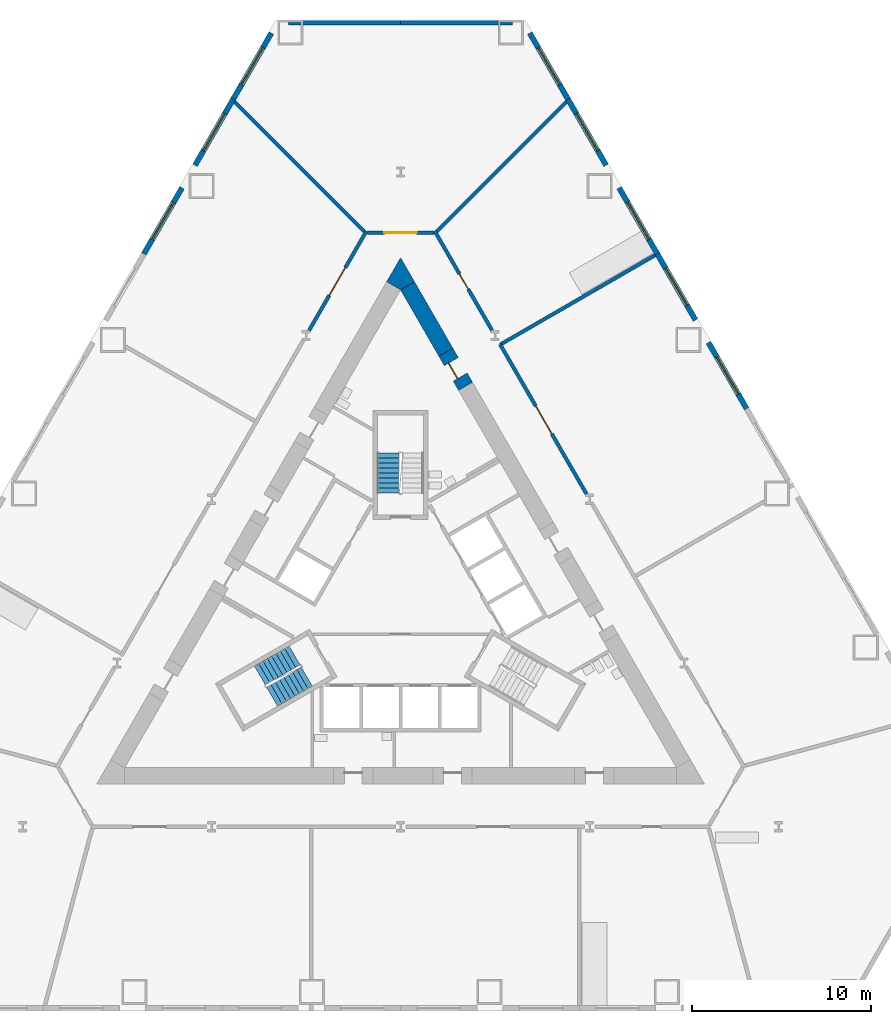
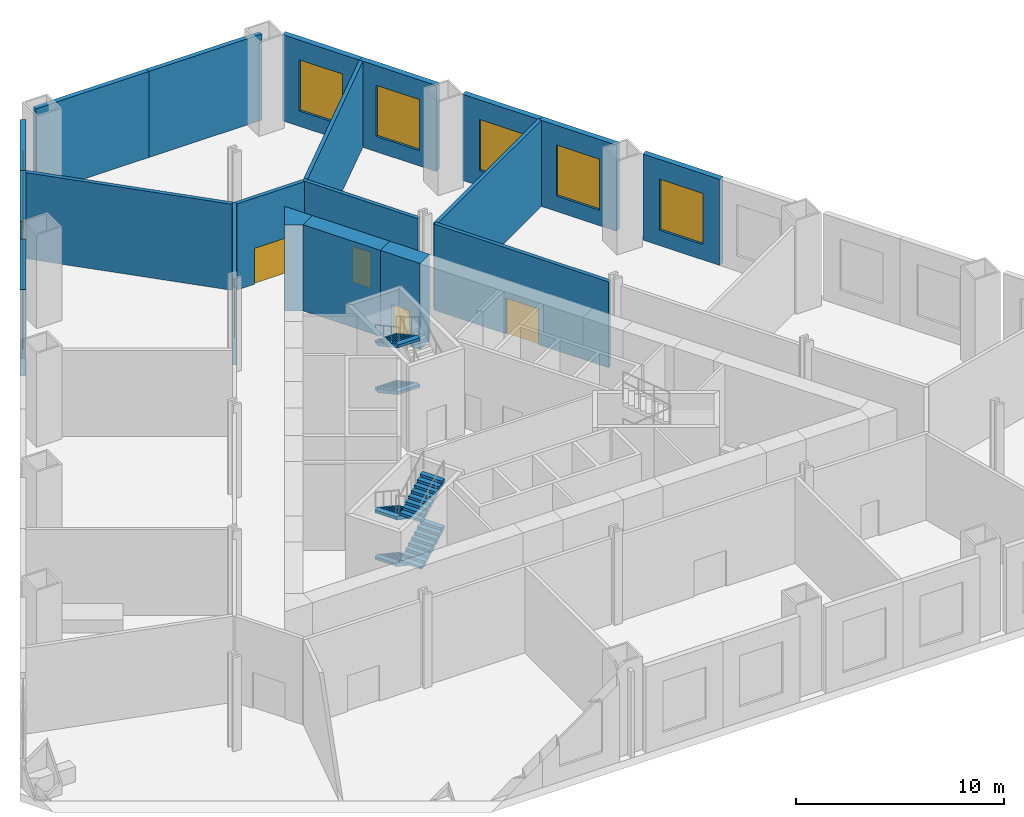
# One storey, part 5 of 9: 20 walls, 8 windows, 6 stair flights, 5 doors, 13 openings, 2 elements without a shape of their own.
"""IFC4 building model written with IfcOpenShell, lengths in metres."""

from ifc_helpers import new_model, si_unit, direction, frame, frame_2d, origin, place, context, subcontext, project, spatial, polyline, rectangle, outline, extrude, material, layer, layer_set, type_object, element, fill, aggregate, save


model = new_model("IFC4")

# Units and contexts
model_context = context("Model", 3, precision=1e-05, world=origin(), true_north=direction((0.0, 1.0)))
body_context = subcontext(model_context, "Body", "Model", "MODEL_VIEW")
ifc_project = project(units=[si_unit("LENGTHUNIT", "METRE"), si_unit("AREAUNIT", "SQUARE_METRE"), si_unit("VOLUMEUNIT", "CUBIC_METRE"), si_unit("PLANEANGLEUNIT", "RADIAN"), si_unit("MASSUNIT", "GRAM", prefix="KILO")], contexts=[model_context])

# Site, building, storey
site_placement = place(None, origin())
site = spatial("IfcSite", under=ifc_project, at=site_placement, CompositionType="ELEMENT")
building_placement = place(site_placement, origin())
building = spatial("IfcBuilding", under=site, at=building_placement, Name="Cormorant Prow Tower", CompositionType="ELEMENT")
storey_placement = place(building_placement, frame((0.0, 0.0, 15.5)))
storey = spatial("IfcBuildingStorey", under=building, at=storey_placement, Name="L02", CompositionType="ELEMENT", Elevation=15.5)

# Walls
ifc_material_1 = material(Name="Concrete 8000 psi", Category="concrete")
ifc_layer_1 = layer(ifc_material_1, 0.89990234375)
ifc_layer_set_1 = layer_set([ifc_layer_1], Name="Concrete 8000 psi")
wall_type_1 = type_object("IfcWallType", Name="Core shear wall 900", PredefinedType="SHEAR", material=ifc_layer_set_1)
wall_1_placement = place(storey_placement, frame((2.53759765625, 14.334716796875, 0.0), z_axis=(0.0, 0.0, 1.0), x_axis=(-0.500014347272, 0.866017120224, 0.0)))
element("IfcWall", 1, at=wall_1_placement, inside=storey, type_object=wall_type_1, Name="Core wall", PredefinedType="SHEAR", context=body_context, shape_type="SweptSolid", body=[
    extrude(rectangle(XDim=4.295654296875, YDim=0.89990234375, at=frame_2d((2.14794921875, 0.0))), origin(), (0.0, 0.0, 1.0), 5.050048828125),
])
wall_2_placement = place(storey_placement, origin())
element("IfcWall", 2, at=wall_2_placement, inside=storey, type_object=wall_type_1, Name="Core wall corner", PredefinedType="SHEAR", context=body_context, shape_type="SweptSolid", body=[
    extrude(outline(polyline([(-0.779296875, 18.27978515625), (0.0, 19.6298828125), (0.779296875, 18.27978515625), (0.0, 17.829833984375), (-0.779296875, 18.27978515625)])), origin(), (0.0, 0.0, 1.0), 5.050048828125),
])

# Wall, opening, door
wall_3_placement = place(storey_placement, frame((3.637451171875, 12.4296875, 0.0), z_axis=(0.0, 0.0, 1.0), x_axis=(-0.499994660107, 0.866028486751, 0.0)))
wall_3 = element("IfcWall", 3, at=wall_3_placement, inside=storey, type_object=wall_type_1, Name="Core wall door panel", PredefinedType="SHEAR", context=body_context, shape_type="SweptSolid", body=[
    extrude(rectangle(XDim=2.19970703125, YDim=0.89990234375, at=frame_2d((1.099853515625, 0.0))), origin(), (0.0, 0.0, 1.0), 5.050048828125),
])
opening_1_placement = place(wall_3_placement, frame((0.60009765625, 0.0, 0.0)))
opening_1 = element("IfcOpeningElement", 4, at=opening_1_placement, cuts=wall_3, Name="Opening L02-C22", PredefinedType="OPENING", context=body_context, shape_type="SweptSolid", body=[
    extrude(rectangle(XDim=1.0, YDim=2.10009765625, at=frame_2d((0.5, 1.050048828125))), frame((0.0, 0.4599609375, 0.0), z_axis=(0.0, -1.0, 0.0), x_axis=(1.0, 0.0, 0.0)), (0.0, 0.0, 1.0), 0.919921875),
])
ifc_material_2 = material(Name="Painted steel", Category="steel")
door_type_1 = type_object("IfcDoorType", Name="Service door 1000x2100", OperationType="NOTDEFINED", PredefinedType="DOOR", material=ifc_material_2)
door_1_placement = place(opening_1_placement, origin())
door_1 = element("IfcDoor", 5, at=door_1_placement, inside=storey, type_object=door_type_1, Name="Core door, Toilets (women) L02", OperationType="SINGLE_SWING_LEFT", OverallHeight=2.10009765625, OverallWidth=1.0, PredefinedType="DOOR", context=body_context, shape_type="SweptSolid", body=[
    extrude(rectangle(XDim=1.0, YDim=2.10009765625, at=frame_2d((0.5, 1.050048828125))), frame((0.0, 0.205078125, 0.0), z_axis=(0.0, -1.0, 0.0), x_axis=(1.0, 0.0, 0.0)), (0.0, 0.0, 1.0), 0.050048828125),
])
fill(opening_1, door_1)

ifc_material_3 = material(Name="Gypsum board corridor wall")
ifc_layer_2 = layer(ifc_material_3, 0.199951171875)
ifc_layer_set_2 = layer_set([ifc_layer_2], Name="Gypsum board corridor wall")
wall_type_2 = type_object("IfcWallType", Name="Corridor wall 200", PredefinedType="PARTITIONING", material=ifc_layer_set_2)
wall_4_placement = place(storey_placement, frame((5.573486328125, 14.7763671875, 0.0), z_axis=(0.0, 0.0, 1.0), x_axis=(0.499986904098, -0.866032964575, 0.0)))
wall_4 = element("IfcWall", 6, at=wall_4_placement, inside=storey, type_object=wall_type_2, Name="Corridor wall", PredefinedType="PARTITIONING", context=body_context, shape_type="SweptSolid", body=[
    extrude(rectangle(XDim=9.669677734375, YDim=0.199951171875, at=frame_2d((4.8349609375, 0.0))), origin(), (0.0, 0.0, 1.0), 5.050048828125),
])
opening_2_placement = place(wall_4_placement, frame((3.9853515625, 0.0, 0.0)))
opening_2 = element("IfcOpeningElement", 7, at=opening_2_placement, cuts=wall_4, Name="Opening L02-F12", PredefinedType="OPENING", context=body_context, shape_type="SweptSolid", body=[
    extrude(rectangle(XDim=1.800048828125, YDim=2.10009765625, at=frame_2d((0.89990234375, 1.050048828125))), frame((0.0, 0.10986328125, 0.0), z_axis=(0.0, -1.0, 0.0), x_axis=(1.0, 0.0, 0.0)), (0.0, 0.0, 1.0), 0.219970703125),
])
ifc_material_4 = material(Name="Timber door leaf", Category="wood")
door_type_2 = type_object("IfcDoorType", Name="Double door 1800x2100", OperationType="DOUBLE_DOOR_SINGLE_SWING", PredefinedType="DOOR", material=ifc_material_4)
door_2_placement = place(opening_2_placement, origin())
door_2 = element("IfcDoor", 8, at=door_2_placement, inside=storey, type_object=door_type_2, Name="Serviced office door", OperationType="DOUBLE_DOOR_SINGLE_SWING", OverallHeight=2.10009765625, OverallWidth=1.800048828125, PredefinedType="DOOR", context=body_context, shape_type="SweptSolid", body=[
    extrude(rectangle(XDim=1.800048828125, YDim=2.10009765625, at=frame_2d((0.89990234375, 1.050048828125))), frame((0.0, 0.02490234375, 0.0), z_axis=(0.0, -1.0, 0.0), x_axis=(1.0, 0.0, 0.0)), (0.0, 0.0, 1.0), 0.050048828125),
])
fill(opening_2, door_2)

wall_5_placement = place(storey_placement, frame((-5.119140625, 15.5634765625, 0.0), z_axis=(0.0, 0.0, 1.0), x_axis=(0.500004801114, 0.866022631842, 0.0)))
wall_5 = element("IfcWall", 9, at=wall_5_placement, inside=storey, type_object=wall_type_2, Name="Corridor wall", PredefinedType="PARTITIONING", context=body_context, shape_type="SweptSolid", body=[
    extrude(rectangle(XDim=6.412109375, YDim=0.199951171875, at=frame_2d((3.2060546875, 0.0))), origin(), (0.0, 0.0, 1.0), 5.050048828125),
])
opening_3_placement = place(wall_5_placement, frame((2.255859375, 0.0, 0.0)))
opening_3 = element("IfcOpeningElement", 10, at=opening_3_placement, cuts=wall_5, Name="Opening L02-F07", PredefinedType="OPENING", context=body_context, shape_type="SweptSolid", body=[
    extrude(rectangle(XDim=1.800048828125, YDim=2.10009765625, at=frame_2d((0.89990234375, 1.050048828125))), frame((0.0, 0.10986328125, 0.0), z_axis=(0.0, -1.0, 0.0), x_axis=(1.0, 0.0, 0.0)), (0.0, 0.0, 1.0), 0.219970703125),
])
door_3_placement = place(opening_3_placement, origin())
door_3 = element("IfcDoor", 11, at=door_3_placement, inside=storey, type_object=door_type_2, Name="Serviced office door", OperationType="DOUBLE_DOOR_SINGLE_SWING", OverallHeight=2.10009765625, OverallWidth=1.800048828125, PredefinedType="DOOR", context=body_context, shape_type="SweptSolid", body=[
    extrude(rectangle(XDim=1.800048828125, YDim=2.10009765625, at=frame_2d((0.89990234375, 1.050048828125))), frame((0.0, 0.02490234375, 0.0), z_axis=(0.0, -1.0, 0.0), x_axis=(1.0, 0.0, 0.0)), (0.0, 0.0, 1.0), 0.050048828125),
])
fill(opening_3, door_3)

wall_6_placement = place(storey_placement, frame((1.9130859375, 21.116455078125, 0.0), z_axis=(0.0, 0.0, 1.0), x_axis=(0.500004801114, -0.866022631842, 0.0)))
wall_6 = element("IfcWall", 12, at=wall_6_placement, inside=storey, type_object=wall_type_2, Name="Corridor wall", PredefinedType="PARTITIONING", context=body_context, shape_type="SweptSolid", body=[
    extrude(rectangle(XDim=6.412109375, YDim=0.199951171875, at=frame_2d((3.2060546875, 0.0))), origin(), (0.0, 0.0, 1.0), 5.050048828125),
])
opening_4_placement = place(wall_6_placement, frame((2.756103515625, 0.0, 0.0)))
opening_4 = element("IfcOpeningElement", 13, at=opening_4_placement, cuts=wall_6, Name="Opening L02-F06", PredefinedType="OPENING", context=body_context, shape_type="SweptSolid", body=[
    extrude(rectangle(XDim=1.0, YDim=2.10009765625, at=frame_2d((0.5, 1.050048828125))), frame((0.0, 0.10986328125, 0.0), z_axis=(0.0, -1.0, 0.0), x_axis=(1.0, 0.0, 0.0)), (0.0, 0.0, 1.0), 0.219970703125),
])
ifc_material_5 = material(Name="Timber door leaf", Category="wood")
door_type_3 = type_object("IfcDoorType", Name="Flat or room entrance door 1000x2100", OperationType="NOTDEFINED", PredefinedType="DOOR", material=ifc_material_5)
door_4_placement = place(opening_4_placement, origin())
door_4 = element("IfcDoor", 14, at=door_4_placement, inside=storey, type_object=door_type_3, Name="Conference room door", OperationType="SINGLE_SWING_LEFT", OverallHeight=2.10009765625, OverallWidth=1.0, PredefinedType="DOOR", context=body_context, shape_type="SweptSolid", body=[
    extrude(rectangle(XDim=1.0, YDim=2.10009765625, at=frame_2d((0.5, 1.050048828125))), frame((0.0, 0.02490234375, 0.0), z_axis=(0.0, -1.0, 0.0), x_axis=(1.0, 0.0, 0.0)), (0.0, 0.0, 1.0), 0.050048828125),
])
fill(opening_4, door_4)

wall_7_placement = place(storey_placement, frame((-1.863037109375, 21.02978515625, 0.0), z_axis=(0.0, 0.0, 1.0), x_axis=(1.0, 0.0, 0.0)))
wall_7 = element("IfcWall", 15, at=wall_7_placement, inside=storey, type_object=wall_type_2, Name="Corridor wall", PredefinedType="PARTITIONING", context=body_context, shape_type="SweptSolid", body=[
    extrude(rectangle(XDim=3.72607421875, YDim=0.199951171875, at=frame_2d((1.863037109375, 0.0))), origin(), (0.0, 0.0, 1.0), 5.050048828125),
])
opening_5_placement = place(wall_7_placement, frame((0.962890625, 0.0, 0.0)))
opening_5 = element("IfcOpeningElement", 16, at=opening_5_placement, cuts=wall_7, Name="Opening L02-F08", PredefinedType="OPENING", context=body_context, shape_type="SweptSolid", body=[
    extrude(rectangle(XDim=1.800048828125, YDim=2.10009765625, at=frame_2d((0.89990234375, 1.050048828125))), frame((0.0, 0.10986328125, 0.0), z_axis=(0.0, -1.0, 0.0), x_axis=(1.0, 0.0, 0.0)), (0.0, 0.0, 1.0), 0.219970703125),
])
door_5_placement = place(opening_5_placement, origin())
door_5 = element("IfcDoor", 17, at=door_5_placement, inside=storey, type_object=door_type_2, Name="Business reception door", OperationType="DOUBLE_DOOR_SINGLE_SWING", OverallHeight=2.10009765625, OverallWidth=1.800048828125, PredefinedType="DOOR", context=body_context, shape_type="SweptSolid", body=[
    extrude(rectangle(XDim=1.800048828125, YDim=2.10009765625, at=frame_2d((0.89990234375, 1.050048828125))), frame((0.0, 0.02490234375, 0.0), z_axis=(0.0, -1.0, 0.0), x_axis=(1.0, 0.0, 0.0)), (0.0, 0.0, 1.0), 0.050048828125),
])
fill(opening_5, door_5)

# Walls
ifc_material_6 = material(Name="Gypsum board demising wall")
ifc_layer_3 = layer(ifc_material_6, 0.199951171875)
ifc_layer_set_3 = layer_set([ifc_layer_3], Name="Gypsum board demising wall")
wall_type_3 = type_object("IfcWallType", Name="Demising wall 200", PredefinedType="PARTITIONING", material=ifc_layer_set_3)
for number, where, z_axis, x_axis, name in (
    (18, (2.03369140625, 21.1005859375, 0.0), (0.0, 0.0, 1.0), (0.707402604593, 0.706810833968, 0.0), "Demising wall"),
    (19, (-9.329833984375, 28.390625, 0.0), (0.0, 0.0, 1.0), (0.707402604593, -0.706810833968, 0.0), "Demising wall"),
):
    element("IfcWall", number, at=place(storey_placement, frame(where, z_axis=z_axis, x_axis=x_axis)), inside=storey, type_object=wall_type_3, Name=name, PredefinedType="PARTITIONING", context=body_context, shape_type="SweptSolid", body=[
        extrude(rectangle(XDim=10.31396484375, YDim=0.199951171875, at=frame_2d((5.156982421875, 0.0))), origin(), (0.0, 0.0, 1.0), 5.050048828125),
    ])
wall_8_placement = place(storey_placement, frame((5.57861328125, 14.767578125, 0.0), z_axis=(0.0, 0.0, 1.0), x_axis=(0.866017018378, 0.500014523669, 0.0)))
element("IfcWall", 20, at=wall_8_placement, inside=storey, type_object=wall_type_3, Name="Demising wall", PredefinedType="PARTITIONING", context=body_context, shape_type="SweptSolid", body=[
    extrude(rectangle(XDim=10.081787109375, YDim=0.199951171875, at=frame_2d((5.041015625, 0.0))), origin(), (0.0, 0.0, 1.0), 5.050048828125),
])
ifc_material_7 = material(Name="Terracotta", Category="masonry")
ifc_layer_4 = layer(ifc_material_7, 0.25)
ifc_layer_set_4 = layer_set([ifc_layer_4], Name="Terracotta")
wall_type_4 = type_object("IfcWallType", Name="Terracotta bay wall 250", PredefinedType="SOLIDWALL", material=ifc_layer_set_4)
for number, where, z_axis, x_axis, name in (
    (21, (6.27001953125, 32.783935546875, 0.0), (0.0, 0.0, 1.0), (-1.0, 0.0, 0.0), "Terracotta bay wall N00"),
    (22, (0.0, 32.783935546875, 0.0), (0.0, 0.0, 1.0), (-1.0, 0.0, 0.0), "Terracotta bay wall N01"),
):
    element("IfcWall", number, at=place(storey_placement, frame(where, z_axis=z_axis, x_axis=x_axis)), inside=storey, type_object=wall_type_4, Name=name, PredefinedType="SOLIDWALL", context=body_context, shape_type="SweptSolid", body=[
        extrude(rectangle(XDim=6.27001953125, YDim=0.25, at=frame_2d((3.135009765625, 0.0))), origin(), (0.0, 0.0, 1.0), 5.050048828125),
    ])

# Wall, opening, window
ifc_material_8 = material(Name="Terracotta", Category="masonry")
ifc_layer_5 = layer(ifc_material_8, 0.300048828125)
ifc_layer_set_5 = layer_set([ifc_layer_5], Name="Terracotta")
wall_type_5 = type_object("IfcWallType", Name="Terracotta podium cladding wall 300", PredefinedType="SOLIDWALL", material=ifc_layer_set_5)
wall_9_placement = place(storey_placement, frame((19.3701171875, 11.183349609375, 0.0), z_axis=(0.0, 0.0, 1.0), x_axis=(-0.499994660107, 0.866028486751, 0.0)))
wall_9 = element("IfcWall", 23, at=wall_9_placement, inside=storey, type_object=wall_type_5, Name="Terracotta podium wall ENE05", PredefinedType="SOLIDWALL", context=body_context, shape_type="SweptSolid", body=[
    extrude(rectangle(XDim=4.27001953125, YDim=0.300048828125, at=frame_2d((2.135009765625, 0.0))), origin(), (0.0, 0.0, 1.0), 5.050048828125),
])
opening_6_placement = place(wall_9_placement, frame((0.93505859375, 0.0, 0.89990234375)))
opening_6 = element("IfcOpeningElement", 24, at=opening_6_placement, cuts=wall_9, Name="Opening WN21", PredefinedType="OPENING", context=body_context, shape_type="SweptSolid", body=[
    extrude(rectangle(XDim=2.39990234375, YDim=3.0, at=frame_2d((1.199951171875, 1.5))), frame((0.0, 0.159912109375, 0.0), z_axis=(0.0, -1.0, 0.0), x_axis=(1.0, 0.0, 0.0)), (0.0, 0.0, 1.0), 0.320068359375),
])
ifc_material_9 = material(Name="Aluminium 6063-T6", Category="aluminium")
window_type = type_object("IfcWindowType", Name="Podium window 2400x3000", PartitioningType="SINGLE_PANEL", PredefinedType="WINDOW", material=ifc_material_9)
window_1_placement = place(opening_6_placement, origin())
window_1 = element("IfcWindow", 25, at=window_1_placement, inside=storey, type_object=window_type, Name="Podium window ENE05", OverallHeight=3.0, OverallWidth=2.39990234375, PartitioningType="SINGLE_PANEL", PredefinedType="WINDOW", context=body_context, shape_type="SweptSolid", body=[
    extrude(rectangle(XDim=2.39990234375, YDim=3.0, at=frame_2d((1.199951171875, 1.5))), frame((0.0, 0.030029296875, 0.0), z_axis=(0.0, -1.0, 0.0), x_axis=(1.0, 0.0, 0.0)), (0.0, 0.0, 1.0), 0.06005859375),
])
fill(opening_6, window_1)

wall_10_placement = place(storey_placement, frame((16.505126953125, 16.145751953125, 0.0), z_axis=(0.0, 0.0, 1.0), x_axis=(-0.500019418418, 0.866014192265, 0.0)))
wall_10 = element("IfcWall", 26, at=wall_10_placement, inside=storey, type_object=wall_type_5, Name="Terracotta podium wall ENE06", PredefinedType="SOLIDWALL", context=body_context, shape_type="SweptSolid", body=[
    extrude(rectangle(XDim=4.269775390625, YDim=0.300048828125, at=frame_2d((2.134765625, 0.0))), origin(), (0.0, 0.0, 1.0), 5.050048828125),
])
opening_7_placement = place(wall_10_placement, frame((0.93505859375, 0.0, 0.89990234375)))
opening_7 = element("IfcOpeningElement", 27, at=opening_7_placement, cuts=wall_10, Name="Opening WN21", PredefinedType="OPENING", context=body_context, shape_type="SweptSolid", body=[
    extrude(rectangle(XDim=2.39990234375, YDim=3.0, at=frame_2d((1.199951171875, 1.5))), frame((0.0, 0.159912109375, 0.0), z_axis=(0.0, -1.0, 0.0), x_axis=(1.0, 0.0, 0.0)), (0.0, 0.0, 1.0), 0.320068359375),
])
window_2_placement = place(opening_7_placement, origin())
window_2 = element("IfcWindow", 28, at=window_2_placement, inside=storey, type_object=window_type, Name="Podium window ENE06", OverallHeight=3.0, OverallWidth=2.39990234375, PartitioningType="SINGLE_PANEL", PredefinedType="WINDOW", context=body_context, shape_type="SweptSolid", body=[
    extrude(rectangle(XDim=2.39990234375, YDim=3.0, at=frame_2d((1.199951171875, 1.5))), frame((0.0, 0.030029296875, 0.0), z_axis=(0.0, -1.0, 0.0), x_axis=(1.0, 0.0, 0.0)), (0.0, 0.0, 1.0), 0.06005859375),
])
fill(opening_7, window_2)

wall_11_placement = place(storey_placement, frame((14.3701171875, 19.843505859375, 0.0), z_axis=(0.0, 0.0, 1.0), x_axis=(-0.499994660107, 0.866028486751, 0.0)))
wall_11 = element("IfcWall", 29, at=wall_11_placement, inside=storey, type_object=wall_type_5, Name="Terracotta podium wall ENE07", PredefinedType="SOLIDWALL", context=body_context, shape_type="SweptSolid", body=[
    extrude(rectangle(XDim=4.27001953125, YDim=0.300048828125, at=frame_2d((2.135009765625, 0.0))), origin(), (0.0, 0.0, 1.0), 5.050048828125),
])
opening_8_placement = place(wall_11_placement, frame((0.93505859375, 0.0, 0.89990234375)))
opening_8 = element("IfcOpeningElement", 30, at=opening_8_placement, cuts=wall_11, Name="Opening WN21", PredefinedType="OPENING", context=body_context, shape_type="SweptSolid", body=[
    extrude(rectangle(XDim=2.39990234375, YDim=3.0, at=frame_2d((1.199951171875, 1.5))), frame((0.0, 0.159912109375, 0.0), z_axis=(0.0, -1.0, 0.0), x_axis=(1.0, 0.0, 0.0)), (0.0, 0.0, 1.0), 0.320068359375),
])
window_3_placement = place(opening_8_placement, origin())
window_3 = element("IfcWindow", 31, at=window_3_placement, inside=storey, type_object=window_type, Name="Podium window ENE07", OverallHeight=3.0, OverallWidth=2.39990234375, PartitioningType="SINGLE_PANEL", PredefinedType="WINDOW", context=body_context, shape_type="SweptSolid", body=[
    extrude(rectangle(XDim=2.39990234375, YDim=3.0, at=frame_2d((1.199951171875, 1.5))), frame((0.0, 0.030029296875, 0.0), z_axis=(0.0, -1.0, 0.0), x_axis=(1.0, 0.0, 0.0)), (0.0, 0.0, 1.0), 0.06005859375),
])
fill(opening_8, window_3)

wall_12_placement = place(storey_placement, frame((11.505126953125, 24.805908203125, 0.0), z_axis=(0.0, 0.0, 1.0), x_axis=(-0.499994660107, 0.866028486751, 0.0)))
wall_12 = element("IfcWall", 32, at=wall_12_placement, inside=storey, type_object=wall_type_5, Name="Terracotta podium wall ENE08", PredefinedType="SOLIDWALL", context=body_context, shape_type="SweptSolid", body=[
    extrude(rectangle(XDim=4.27001953125, YDim=0.300048828125, at=frame_2d((2.135009765625, 0.0))), origin(), (0.0, 0.0, 1.0), 5.050048828125),
])
opening_9_placement = place(wall_12_placement, frame((0.93505859375, 0.0, 0.89990234375)))
opening_9 = element("IfcOpeningElement", 33, at=opening_9_placement, cuts=wall_12, Name="Opening WN21", PredefinedType="OPENING", context=body_context, shape_type="SweptSolid", body=[
    extrude(rectangle(XDim=2.39990234375, YDim=3.0, at=frame_2d((1.199951171875, 1.5))), frame((0.0, 0.159912109375, 0.0), z_axis=(0.0, -1.0, 0.0), x_axis=(1.0, 0.0, 0.0)), (0.0, 0.0, 1.0), 0.320068359375),
])
window_4_placement = place(opening_9_placement, origin())
window_4 = element("IfcWindow", 34, at=window_4_placement, inside=storey, type_object=window_type, Name="Podium window ENE08", OverallHeight=3.0, OverallWidth=2.39990234375, PartitioningType="SINGLE_PANEL", PredefinedType="WINDOW", context=body_context, shape_type="SweptSolid", body=[
    extrude(rectangle(XDim=2.39990234375, YDim=3.0, at=frame_2d((1.199951171875, 1.5))), frame((0.0, 0.030029296875, 0.0), z_axis=(0.0, -1.0, 0.0), x_axis=(1.0, 0.0, 0.0)), (0.0, 0.0, 1.0), 0.06005859375),
])
fill(opening_9, window_4)

wall_13_placement = place(storey_placement, frame((9.3701171875, 28.50390625, 0.0), z_axis=(0.0, 0.0, 1.0), x_axis=(-0.500019418418, 0.866014192265, 0.0)))
wall_13 = element("IfcWall", 35, at=wall_13_placement, inside=storey, type_object=wall_type_5, Name="Terracotta podium wall ENE09", PredefinedType="SOLIDWALL", context=body_context, shape_type="SweptSolid", body=[
    extrude(rectangle(XDim=4.269775390625, YDim=0.300048828125, at=frame_2d((2.134765625, 0.0))), origin(), (0.0, 0.0, 1.0), 5.050048828125),
])
opening_10_placement = place(wall_13_placement, frame((0.93505859375, 0.0, 0.89990234375)))
opening_10 = element("IfcOpeningElement", 36, at=opening_10_placement, cuts=wall_13, Name="Opening WN21", PredefinedType="OPENING", context=body_context, shape_type="SweptSolid", body=[
    extrude(rectangle(XDim=2.39990234375, YDim=3.0, at=frame_2d((1.199951171875, 1.5))), frame((0.0, 0.159912109375, 0.0), z_axis=(0.0, -1.0, 0.0), x_axis=(1.0, 0.0, 0.0)), (0.0, 0.0, 1.0), 0.320068359375),
])
window_5_placement = place(opening_10_placement, origin())
window_5 = element("IfcWindow", 37, at=window_5_placement, inside=storey, type_object=window_type, Name="Podium window ENE09", OverallHeight=3.0, OverallWidth=2.39990234375, PartitioningType="SINGLE_PANEL", PredefinedType="WINDOW", context=body_context, shape_type="SweptSolid", body=[
    extrude(rectangle(XDim=2.39990234375, YDim=3.0, at=frame_2d((1.199951171875, 1.5))), frame((0.0, 0.030029296875, 0.0), z_axis=(0.0, -1.0, 0.0), x_axis=(1.0, 0.0, 0.0)), (0.0, 0.0, 1.0), 0.06005859375),
])
fill(opening_10, window_5)

wall_14_placement = place(storey_placement, frame((-7.235107421875, 32.20166015625, 0.0), z_axis=(0.0, 0.0, 1.0), x_axis=(-0.500019418418, -0.866014192265, 0.0)))
wall_14 = element("IfcWall", 38, at=wall_14_placement, inside=storey, type_object=wall_type_5, Name="Terracotta podium wall WNW00", PredefinedType="SOLIDWALL", context=body_context, shape_type="SweptSolid", body=[
    extrude(rectangle(XDim=4.269775390625, YDim=0.300048828125, at=frame_2d((2.134765625, 0.0))), origin(), (0.0, 0.0, 1.0), 5.050048828125),
])
opening_11_placement = place(wall_14_placement, frame((0.93505859375, 0.0, 0.89990234375)))
opening_11 = element("IfcOpeningElement", 39, at=opening_11_placement, cuts=wall_14, Name="Opening WN21", PredefinedType="OPENING", context=body_context, shape_type="SweptSolid", body=[
    extrude(rectangle(XDim=2.39990234375, YDim=3.0, at=frame_2d((1.199951171875, 1.5))), frame((0.0, 0.159912109375, 0.0), z_axis=(0.0, -1.0, 0.0), x_axis=(1.0, 0.0, 0.0)), (0.0, 0.0, 1.0), 0.320068359375),
])
window_6_placement = place(opening_11_placement, origin())
window_6 = element("IfcWindow", 40, at=window_6_placement, inside=storey, type_object=window_type, Name="Podium window WNW00", OverallHeight=3.0, OverallWidth=2.39990234375, PartitioningType="SINGLE_PANEL", PredefinedType="WINDOW", context=body_context, shape_type="SweptSolid", body=[
    extrude(rectangle(XDim=2.39990234375, YDim=3.0, at=frame_2d((1.199951171875, 1.5))), frame((0.0, 0.030029296875, 0.0), z_axis=(0.0, -1.0, 0.0), x_axis=(1.0, 0.0, 0.0)), (0.0, 0.0, 1.0), 0.06005859375),
])
fill(opening_11, window_6)

wall_15_placement = place(storey_placement, frame((-9.3701171875, 28.50390625, 0.0), z_axis=(0.0, 0.0, 1.0), x_axis=(-0.499994660107, -0.866028486751, 0.0)))
wall_15 = element("IfcWall", 41, at=wall_15_placement, inside=storey, type_object=wall_type_5, Name="Terracotta podium wall WNW01", PredefinedType="SOLIDWALL", context=body_context, shape_type="SweptSolid", body=[
    extrude(rectangle(XDim=4.27001953125, YDim=0.300048828125, at=frame_2d((2.135009765625, 0.0))), origin(), (0.0, 0.0, 1.0), 5.050048828125),
])
opening_12_placement = place(wall_15_placement, frame((0.93505859375, 0.0, 0.89990234375)))
opening_12 = element("IfcOpeningElement", 42, at=opening_12_placement, cuts=wall_15, Name="Opening WN21", PredefinedType="OPENING", context=body_context, shape_type="SweptSolid", body=[
    extrude(rectangle(XDim=2.39990234375, YDim=3.0, at=frame_2d((1.199951171875, 1.5))), frame((0.0, 0.159912109375, 0.0), z_axis=(0.0, -1.0, 0.0), x_axis=(1.0, 0.0, 0.0)), (0.0, 0.0, 1.0), 0.320068359375),
])
window_7_placement = place(opening_12_placement, origin())
window_7 = element("IfcWindow", 43, at=window_7_placement, inside=storey, type_object=window_type, Name="Podium window WNW01", OverallHeight=3.0, OverallWidth=2.39990234375, PartitioningType="SINGLE_PANEL", PredefinedType="WINDOW", context=body_context, shape_type="SweptSolid", body=[
    extrude(rectangle(XDim=2.39990234375, YDim=3.0, at=frame_2d((1.199951171875, 1.5))), frame((0.0, 0.030029296875, 0.0), z_axis=(0.0, -1.0, 0.0), x_axis=(1.0, 0.0, 0.0)), (0.0, 0.0, 1.0), 0.06005859375),
])
fill(opening_12, window_7)

wall_16_placement = place(storey_placement, frame((-12.235107421875, 23.54150390625, 0.0), z_axis=(0.0, 0.0, 1.0), x_axis=(-0.499994660107, -0.866028486751, 0.0)))
wall_16 = element("IfcWall", 44, at=wall_16_placement, inside=storey, type_object=wall_type_5, Name="Terracotta podium wall WNW02", PredefinedType="SOLIDWALL", context=body_context, shape_type="SweptSolid", body=[
    extrude(rectangle(XDim=4.27001953125, YDim=0.300048828125, at=frame_2d((2.135009765625, 0.0))), origin(), (0.0, 0.0, 1.0), 5.050048828125),
])
opening_13_placement = place(wall_16_placement, frame((0.93505859375, 0.0, 0.89990234375)))
opening_13 = element("IfcOpeningElement", 45, at=opening_13_placement, cuts=wall_16, Name="Opening WN21", PredefinedType="OPENING", context=body_context, shape_type="SweptSolid", body=[
    extrude(rectangle(XDim=2.39990234375, YDim=3.0, at=frame_2d((1.199951171875, 1.5))), frame((0.0, 0.159912109375, 0.0), z_axis=(0.0, -1.0, 0.0), x_axis=(1.0, 0.0, 0.0)), (0.0, 0.0, 1.0), 0.320068359375),
])
window_8_placement = place(opening_13_placement, origin())
window_8 = element("IfcWindow", 46, at=window_8_placement, inside=storey, type_object=window_type, Name="Podium window WNW02", OverallHeight=3.0, OverallWidth=2.39990234375, PartitioningType="SINGLE_PANEL", PredefinedType="WINDOW", context=body_context, shape_type="SweptSolid", body=[
    extrude(rectangle(XDim=2.39990234375, YDim=3.0, at=frame_2d((1.199951171875, 1.5))), frame((0.0, 0.030029296875, 0.0), z_axis=(0.0, -1.0, 0.0), x_axis=(1.0, 0.0, 0.0)), (0.0, 0.0, 1.0), 0.06005859375),
])
fill(opening_13, window_8)

# Stair, stair flights
ifc_material_10 = material(Name="Exit stair 36 risers")
stair_type = type_object("IfcStairType", Name="Exit stair 36 risers", PredefinedType="HALF_TURN_STAIR", material=ifc_material_10)
stair_1_placement = place(storey_placement, origin())
stair_1 = element("IfcStair", 47, at=stair_1_placement, inside=storey, type_object=stair_type, Name="L02 Exit stair ST1", PredefinedType="HALF_TURN_STAIR")
ifc_material_11 = material(Name="Concrete 5000 psi", Category="concrete")
stair_flight_type = type_object("IfcStairFlightType", Name="Stair flight 1219", PredefinedType="STRAIGHT", material=ifc_material_11)
stair_flight_1_placement = place(storey_placement, frame((-5.93310546875, -2.635009765625, 0.0), z_axis=(0.0, 0.0, 1.0), x_axis=(-0.866025403784, -0.5, 0.0)))
stair_flight_1 = element("IfcStairFlight", 48, at=stair_flight_1_placement, type_object=stair_flight_type, Name="ST1 flight 1", NumberOfRisers=9, NumberOfTreads=8, PredefinedType="STRAIGHT", RiserHeight=0.152777778, TreadLength=0.28, context=body_context, shape_type="SweptSolid", body=[
    extrude(outline(polyline([(0.0, 0.0), (0.0, 0.15283203125), (0.280029296875, 0.15283203125), (0.280029296875, 0.3056640625), (0.56005859375, 0.3056640625), (0.56005859375, 0.458251953125), (0.840087890625, 0.458251953125), (0.840087890625, 0.611083984375), (1.1201171875, 0.611083984375), (1.1201171875, 0.763916015625), (1.39990234375, 0.763916015625), (1.39990234375, 0.916748046875), (1.679931640625, 0.916748046875), (1.679931640625, 1.0693359375), (1.9599609375, 1.0693359375), (1.9599609375, 1.22216796875), (2.239990234375, 1.22216796875), (2.239990234375, 1.375), (2.239990234375, 1.051513671875), (0.31298828125, 0.0), (0.0, 0.0)])), frame((0.0, 0.609375, 0.0), z_axis=(0.0, -1.0, 0.0), x_axis=(1.0, 0.0, 0.0)), (0.0, 0.0, 1.0), 1.218994140625),
])
stair_flight_2_placement = place(storey_placement, frame((-7.1884765625, -4.940673828125, 1.375), z_axis=(0.0, 0.0, 1.0), x_axis=(0.866025403784, 0.5, 0.0)))
stair_flight_2 = element("IfcStairFlight", 49, at=stair_flight_2_placement, type_object=stair_flight_type, Name="ST1 flight 2", NumberOfRisers=9, NumberOfTreads=8, PredefinedType="STRAIGHT", RiserHeight=0.152777778, TreadLength=0.28, context=body_context, shape_type="SweptSolid", body=[
    extrude(outline(polyline([(0.0, 0.0), (0.0, 0.15283203125), (0.280029296875, 0.15283203125), (0.280029296875, 0.3056640625), (0.56005859375, 0.3056640625), (0.56005859375, 0.458251953125), (0.840087890625, 0.458251953125), (0.840087890625, 0.611083984375), (1.1201171875, 0.611083984375), (1.1201171875, 0.763916015625), (1.39990234375, 0.763916015625), (1.39990234375, 0.916748046875), (1.679931640625, 0.916748046875), (1.679931640625, 1.0693359375), (1.9599609375, 1.0693359375), (1.9599609375, 1.22216796875), (2.239990234375, 1.22216796875), (2.239990234375, 1.375), (2.239990234375, 1.051513671875), (0.31298828125, 0.0), (0.0, 0.0)])), frame((0.0, 0.609375, 0.0), z_axis=(0.0, -1.0, 0.0), x_axis=(1.0, 0.0, 0.0)), (0.0, 0.0, 1.0), 1.218994140625),
])
stair_flight_3_placement = place(storey_placement, frame((-5.93310546875, -2.635009765625, 2.75), z_axis=(0.0, 0.0, 1.0), x_axis=(-0.866025403784, -0.5, 0.0)))
stair_flight_3 = element("IfcStairFlight", 50, at=stair_flight_3_placement, type_object=stair_flight_type, Name="ST1 flight 3", NumberOfRisers=9, NumberOfTreads=8, PredefinedType="STRAIGHT", RiserHeight=0.152777778, TreadLength=0.28, context=body_context, shape_type="SweptSolid", body=[
    extrude(outline(polyline([(0.0, 0.0), (0.0, 0.15283203125), (0.280029296875, 0.15283203125), (0.280029296875, 0.3056640625), (0.56005859375, 0.3056640625), (0.56005859375, 0.458251953125), (0.840087890625, 0.458251953125), (0.840087890625, 0.611083984375), (1.1201171875, 0.611083984375), (1.1201171875, 0.763916015625), (1.39990234375, 0.763916015625), (1.39990234375, 0.916748046875), (1.679931640625, 0.916748046875), (1.679931640625, 1.0693359375), (1.9599609375, 1.0693359375), (1.9599609375, 1.22216796875), (2.239990234375, 1.22216796875), (2.239990234375, 1.375), (2.239990234375, 1.051513671875), (0.31298828125, 0.0), (0.0, 0.0)])), frame((0.0, 0.609375, 0.0), z_axis=(0.0, -1.0, 0.0), x_axis=(1.0, 0.0, 0.0)), (0.0, 0.0, 1.0), 1.218994140625),
])
stair_flight_4_placement = place(storey_placement, frame((-7.1884765625, -4.940673828125, 4.125), z_axis=(0.0, 0.0, 1.0), x_axis=(0.866025403784, 0.5, 0.0)))
stair_flight_4 = element("IfcStairFlight", 51, at=stair_flight_4_placement, type_object=stair_flight_type, Name="ST1 flight 4", NumberOfRisers=9, NumberOfTreads=8, PredefinedType="STRAIGHT", RiserHeight=0.152777778, TreadLength=0.28, context=body_context, shape_type="SweptSolid", body=[
    extrude(outline(polyline([(0.0, 0.0), (0.0, 0.15283203125), (0.280029296875, 0.15283203125), (0.280029296875, 0.3056640625), (0.56005859375, 0.3056640625), (0.56005859375, 0.458251953125), (0.840087890625, 0.458251953125), (0.840087890625, 0.611083984375), (1.1201171875, 0.611083984375), (1.1201171875, 0.763916015625), (1.39990234375, 0.763916015625), (1.39990234375, 0.916748046875), (1.679931640625, 0.916748046875), (1.679931640625, 1.0693359375), (1.9599609375, 1.0693359375), (1.9599609375, 1.22216796875), (2.239990234375, 1.22216796875), (2.239990234375, 1.375), (2.239990234375, 1.051513671875), (0.31298828125, 0.0), (0.0, 0.0)])), frame((0.0, 0.609375, 0.0), z_axis=(0.0, -1.0, 0.0), x_axis=(1.0, 0.0, 0.0)), (0.0, 0.0, 1.0), 1.218994140625),
])
aggregate(stair_1, [stair_flight_1, stair_flight_2, stair_flight_3, stair_flight_4])

stair_2_placement = place(storey_placement, origin())
stair_2 = element("IfcStair", 52, at=stair_2_placement, inside=storey, type_object=stair_type, Name="L02 Exit stair ST3", PredefinedType="HALF_TURN_STAIR")
stair_flight_5_placement = place(storey_placement, frame((-0.6845703125, 8.69580078125, 1.375), z_axis=(0.0, 0.0, 1.0), x_axis=(0.0, -1.0, 0.0)))
stair_flight_5 = element("IfcStairFlight", 53, at=stair_flight_5_placement, type_object=stair_flight_type, Name="ST3 flight 2", NumberOfRisers=9, NumberOfTreads=8, PredefinedType="STRAIGHT", RiserHeight=0.152777778, TreadLength=0.28, context=body_context, shape_type="SweptSolid", body=[
    extrude(outline(polyline([(0.0, 0.0), (0.0, 0.15283203125), (0.280029296875, 0.15283203125), (0.280029296875, 0.3056640625), (0.56005859375, 0.3056640625), (0.56005859375, 0.458251953125), (0.840087890625, 0.458251953125), (0.840087890625, 0.611083984375), (1.1201171875, 0.611083984375), (1.1201171875, 0.763916015625), (1.39990234375, 0.763916015625), (1.39990234375, 0.916748046875), (1.679931640625, 0.916748046875), (1.679931640625, 1.0693359375), (1.9599609375, 1.0693359375), (1.9599609375, 1.22216796875), (2.239990234375, 1.22216796875), (2.239990234375, 1.375), (2.239990234375, 1.051513671875), (0.31298828125, 0.0), (0.0, 0.0)])), frame((0.0, 0.609375, 0.0), z_axis=(0.0, -1.0, 0.0), x_axis=(1.0, 0.0, 0.0)), (0.0, 0.0, 1.0), 1.218994140625),
])
stair_flight_6_placement = place(storey_placement, frame((-0.6845703125, 8.69580078125, 4.125), z_axis=(0.0, 0.0, 1.0), x_axis=(0.0, -1.0, 0.0)))
stair_flight_6 = element("IfcStairFlight", 54, at=stair_flight_6_placement, type_object=stair_flight_type, Name="ST3 flight 4", NumberOfRisers=9, NumberOfTreads=8, PredefinedType="STRAIGHT", RiserHeight=0.152777778, TreadLength=0.28, context=body_context, shape_type="SweptSolid", body=[
    extrude(outline(polyline([(0.0, 0.0), (0.0, 0.15283203125), (0.280029296875, 0.15283203125), (0.280029296875, 0.3056640625), (0.56005859375, 0.3056640625), (0.56005859375, 0.458251953125), (0.840087890625, 0.458251953125), (0.840087890625, 0.611083984375), (1.1201171875, 0.611083984375), (1.1201171875, 0.763916015625), (1.39990234375, 0.763916015625), (1.39990234375, 0.916748046875), (1.679931640625, 0.916748046875), (1.679931640625, 1.0693359375), (1.9599609375, 1.0693359375), (1.9599609375, 1.22216796875), (2.239990234375, 1.22216796875), (2.239990234375, 1.375), (2.239990234375, 1.051513671875), (0.31298828125, 0.0), (0.0, 0.0)])), frame((0.0, 0.609375, 0.0), z_axis=(0.0, -1.0, 0.0), x_axis=(1.0, 0.0, 0.0)), (0.0, 0.0, 1.0), 1.218994140625),
])
aggregate(stair_2, [stair_flight_5, stair_flight_6])

save(model, "model.ifc")
